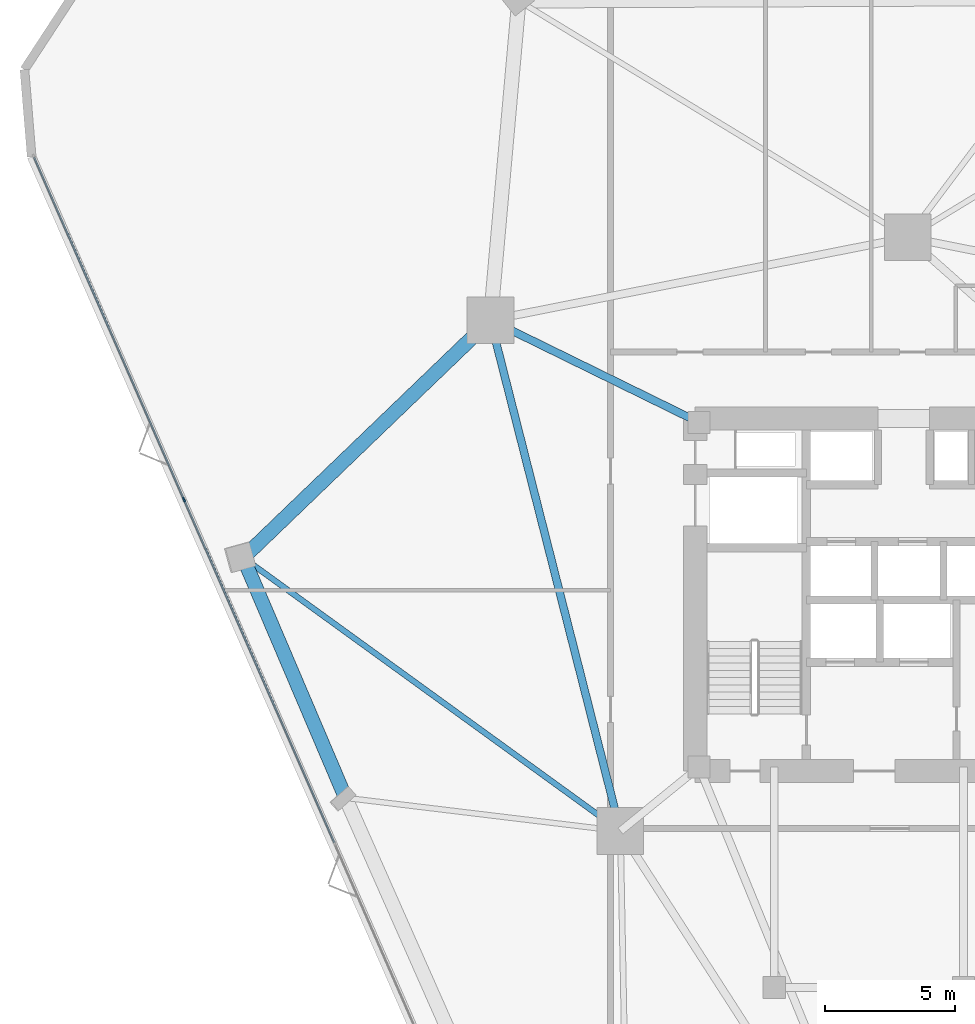
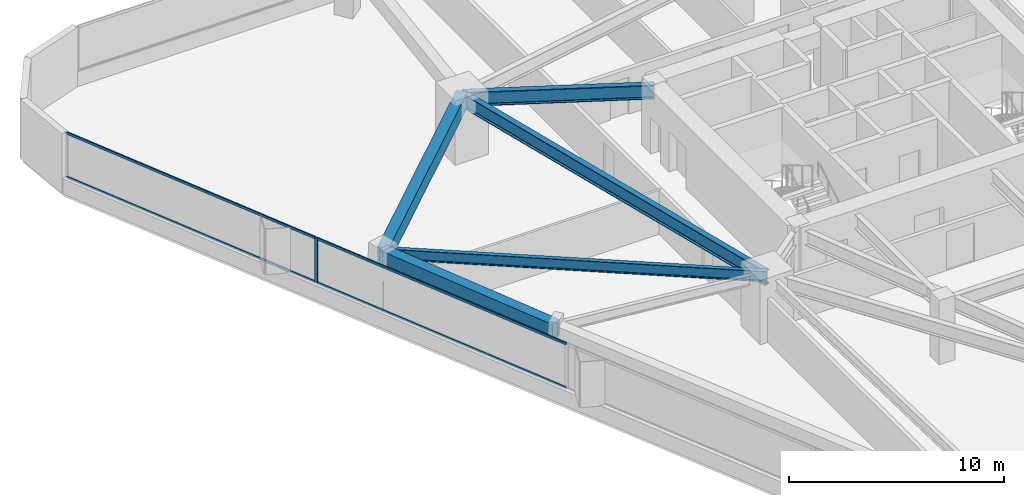
# One storey, part 7 of 20: 5 beams, 5 members, 1 element without a shape of its own.
"""IFC4 building model written with IfcOpenShell, lengths in metres."""

import ifcopenshell
import ifcopenshell.guid

model = None  # the IFC model being written
_history = None  # IfcOwnerHistory: only IFC2X3 demands one
_inside = {}  # id of a spatial element -> (the spatial element, [elements in it])
_under = {}  # id of a project, library or spatial element -> (it, [spatial elements below it])
_declared = {}  # id of a project -> (the project, [libraries it declares])
_typed = {}  # id of a type object -> (the type object, [elements of that type])
_made_of = {}  # id of a material, layer set ... -> (it, [elements and type objects made of it])


def new_model(schema):
    """Start an empty IFC model of exactly this schema.

    Asked for "IFC4X3", IfcOpenShell would pick the latest addendum, in which some entities
    have other attributes; the version numbers below select the first issue.
    IFC2X3 requires an IfcOwnerHistory on every rooted entity: one is made here for all.
    """
    global model, _history
    if schema == "IFC4X3":
        model = ifcopenshell.file(schema_version=(4, 3, 0, 0))
    else:
        model = ifcopenshell.file(schema=schema)
    _inside.clear()
    _under.clear()
    _declared.clear()
    _typed.clear()
    _made_of.clear()
    _history = None
    if model.schema == "IFC2X3":
        org = make("IfcOrganization", Name="unknown")
        user = make(
            "IfcPersonAndOrganization",
            ThePerson=make("IfcPerson", FamilyName="unknown"),
            TheOrganization=org,
        )
        app = make(
            "IfcApplication",
            ApplicationDeveloper=org,
            Version="unknown",
            ApplicationFullName="unknown",
            ApplicationIdentifier="unknown",
        )
        _history = make(
            "IfcOwnerHistory",
            OwningUser=user,
            OwningApplication=app,
            ChangeAction="ADDED",
            CreationDate=0,
        )
    return model


def make(cls, **values):
    """One entity of the class cls with the attributes given. An attribute that is None is left unset."""
    return model.create_entity(
        cls, **{name: value for name, value in values.items() if value is not None}
    )


def rooted(cls, **values):
    """An entity with a GlobalId (a new one), such as an element, a storey or a relation."""
    return make(cls, GlobalId=ifcopenshell.guid.new(), OwnerHistory=_history, **values)


def si_unit(unit_type, name, prefix=None):
    """IfcSIUnit, for example si_unit("LENGTHUNIT", "METRE", prefix="MILLI")."""
    return make("IfcSIUnit", UnitType=unit_type, Prefix=prefix, Name=name)


def assignment(units):
    """IfcUnitAssignment: the units of a project."""
    return None if units is None else make("IfcUnitAssignment", Units=units)


def point(xyz):
    """IfcCartesianPoint."""
    return None if xyz is None else make("IfcCartesianPoint", Coordinates=xyz)


def direction(xyz):
    """IfcDirection."""
    return None if xyz is None else make("IfcDirection", DirectionRatios=xyz)


def frame(location, z_axis=None, x_axis=None):
    """IfcAxis2Placement3D, a coordinate frame: its origin and axes. An axis left out is left unset."""
    return make(
        "IfcAxis2Placement3D",
        Location=point(location),
        Axis=direction(z_axis),
        RefDirection=direction(x_axis),
    )


def frame_2d(location, x_axis=None):
    """IfcAxis2Placement2D, a coordinate frame in the plane: its origin and x axis."""
    return make(
        "IfcAxis2Placement2D", Location=point(location), RefDirection=direction(x_axis)
    )


def origin():
    """The frame at (0, 0, 0) with its axes left unset."""
    return frame((0.0, 0.0, 0.0))


def origin_2d():
    """The frame at (0, 0) in the plane with its x axis left unset."""
    return frame_2d((0.0, 0.0))


def place(relative_to, where):
    """IfcLocalPlacement: puts the frame where relative to a parent placement (None: the world)."""
    return make(
        "IfcLocalPlacement", PlacementRelTo=relative_to, RelativePlacement=where
    )


def context(
    kind, dimensions, precision=None, world=None, true_north=None, identifier=None
):
    """IfcGeometricRepresentationContext, for example the 3D "Model" context."""
    return make(
        "IfcGeometricRepresentationContext",
        ContextIdentifier=identifier,
        ContextType=kind,
        CoordinateSpaceDimension=dimensions,
        Precision=precision,
        WorldCoordinateSystem=world,
        TrueNorth=true_north,
    )


def subcontext(parent, identifier, kind, view, scale=None):
    """IfcGeometricRepresentationSubContext, for example "Body" below "Model"."""
    return make(
        "IfcGeometricRepresentationSubContext",
        ContextIdentifier=identifier,
        ContextType=kind,
        ParentContext=parent,
        TargetScale=scale,
        TargetView=view,
    )


def project(units=None, contexts=None):
    """IfcProject with its units and contexts."""
    return rooted(
        "IfcProject",
        Name="project",
        RepresentationContexts=contexts,
        UnitsInContext=assignment(units),
    )


def spatial(cls, under=None, at=None, **own):
    """A site, building, storey or space (cls), placed at a placement, below another one or the project."""
    s = rooted(cls, ObjectPlacement=at, **own)
    if under is not None:
        _under.setdefault(under.id(), (under, []))[1].append(s)
    return s


def profile(cls, at=None, kind="AREA", **sizes):
    """A parametric profile (cls). Its sizes go by their IFC names, for example OverallWidth=200.0."""
    return make(cls, ProfileType=kind, Position=at, **sizes)


def rectangle(**sizes):
    """IfcRectangleProfileDef."""
    return profile("IfcRectangleProfileDef", **sizes)


def i_section(**sizes):
    """IfcIShapeProfileDef."""
    return profile("IfcIShapeProfileDef", **sizes)


def extrude(swept, where, along, depth):
    """IfcExtrudedAreaSolid: the profile swept, set in the frame where, extruded along a direction by depth."""
    return make(
        "IfcExtrudedAreaSolid",
        SweptArea=swept,
        Position=where,
        ExtrudedDirection=direction(along),
        Depth=depth,
    )


def shape(context_of_items, identifier, shape_type, items):
    """IfcShapeRepresentation: the items that make up one representation, for example the "Body"."""
    return make(
        "IfcShapeRepresentation",
        ContextOfItems=context_of_items,
        RepresentationIdentifier=identifier,
        RepresentationType=shape_type,
        Items=items,
    )


def material(Name=None, Category=None):
    """IfcMaterial."""
    return make("IfcMaterial", Name=Name, Category=Category)


def layer(
    of_material, thickness, ventilated=None, Name=None, Category=None, Priority=None
):
    """IfcMaterialLayer: one layer of a wall or slab, of a material (None: an air gap)."""
    return make(
        "IfcMaterialLayer",
        Material=of_material,
        LayerThickness=thickness,
        IsVentilated=ventilated,
        Name=Name,
        Category=Category,
        Priority=Priority,
    )


def layer_set(layers, Name=None):
    """IfcMaterialLayerSet."""
    return make("IfcMaterialLayerSet", MaterialLayers=layers, LayerSetName=Name)


def material_profile(
    of_material, cross_section, Name=None, Category=None, Priority=None
):
    """IfcMaterialProfile: a cross section and its material."""
    return make(
        "IfcMaterialProfile",
        Name=Name,
        Material=of_material,
        Profile=cross_section,
        Priority=Priority,
        Category=Category,
    )


def profile_set(profiles, Name=None, composite=None):
    """IfcMaterialProfileSet."""
    return make(
        "IfcMaterialProfileSet",
        Name=Name,
        MaterialProfiles=profiles,
        CompositeProfile=composite,
    )


def made_of(thing, what):
    """Note that an element or type object is made of a material, layer set ...; save() writes the relation."""
    if what is not None:
        _made_of.setdefault(what.id(), (what, []))[1].append(thing)
    return thing


def type_object(cls, material=None, **own):
    """A type object (cls), such as IfcWallType, which elements share."""
    return made_of(rooted(cls, **own), material)


def element(
    cls,
    number,
    at=None,
    inside=None,
    cuts=None,
    type_object=None,
    material=None,
    context=None,
    identifier="Body",
    shape_type=None,
    held_by="IfcProductDefinitionShape",
    body=None,
    shapes=None,
    **own,
):
    """One element of the class cls, such as IfcWall. Its Tag is "e" and its number.

    at: its placement. inside: the storey or other place that contains it. cuts: it is an
    opening in that element (IfcRelVoidsElement). A single representation is given by context,
    identifier, shape_type and body (its items); several are given by shapes. held_by: the class
    of the entity that holds the representations. save() writes the other relations.
    """
    e = rooted(cls, Tag="e%d" % number, ObjectPlacement=at, **own)
    if body is not None:
        shapes = [shape(context, identifier, shape_type, body)]
    if shapes is not None:
        e.Representation = make(held_by, Representations=shapes)
    if inside is not None:
        _inside.setdefault(inside.id(), (inside, []))[1].append(e)
    if cuts is not None:
        rooted(
            "IfcRelVoidsElement", RelatingBuildingElement=cuts, RelatedOpeningElement=e
        )
    if type_object is not None:
        _typed.setdefault(type_object.id(), (type_object, []))[1].append(e)
    return made_of(e, material)


def aggregate(whole, parts):
    """IfcRelAggregates: a whole, such as a stair, and the parts it consists of."""
    return rooted("IfcRelAggregates", RelatingObject=whole, RelatedObjects=parts)


def save(model, path):
    """Write the relations noted so far, then the file.

    IfcRelAggregates (storeys below a building ...), IfcRelContainedInSpatialStructure (elements
    in a storey), IfcRelDefinesByType, IfcRelAssociatesMaterial and IfcRelDeclares: one each for
    every whole, place, type object, material and project.
    """
    for whole, parts in _under.values():
        aggregate(whole, parts)
    for where, things in _inside.values():
        rooted(
            "IfcRelContainedInSpatialStructure",
            RelatedElements=things,
            RelatingStructure=where,
        )
    for kind, things in _typed.values():
        rooted("IfcRelDefinesByType", RelatedObjects=things, RelatingType=kind)
    for what, things in _made_of.values():
        rooted("IfcRelAssociatesMaterial", RelatedObjects=things, RelatingMaterial=what)
    for by, libraries in _declared.values():
        rooted("IfcRelDeclares", RelatingContext=by, RelatedDefinitions=libraries)
    model.write(path)


model = new_model("IFC4")

# Units and contexts
model_context = context("Model", 3, precision=1e-05, world=origin(), true_north=direction((0.0, 1.0)))
body_context = subcontext(model_context, "Body", "Model", "MODEL_VIEW")
ifc_project = project(units=[si_unit("LENGTHUNIT", "METRE"), si_unit("AREAUNIT", "SQUARE_METRE"), si_unit("VOLUMEUNIT", "CUBIC_METRE"), si_unit("PLANEANGLEUNIT", "RADIAN"), si_unit("MASSUNIT", "GRAM", prefix="KILO")], contexts=[model_context])

# Site, building, storey
site_placement = place(None, origin())
site = spatial("IfcSite", under=ifc_project, at=site_placement, CompositionType="ELEMENT")
building_placement = place(site_placement, origin())
building = spatial("IfcBuilding", under=site, at=building_placement, Name="Talyreon Biosciences Tower", CompositionType="ELEMENT")
storey_placement = place(building_placement, frame((0.0, 0.0, 37.39990234375)))
storey = spatial("IfcBuildingStorey", under=building, at=storey_placement, Name="L09", CompositionType="ELEMENT", Elevation=37.39990234375)

# Curtain wall, members
ifc_material_1 = material(Name="Thermally broken aluminium and low-E glazing", Category="aluminium")
ifc_layer = layer(ifc_material_1, 0.195068359375)
ifc_layer_set = layer_set([ifc_layer], Name="Thermally broken aluminium and low-E glazing")
curtain_wall_type = type_object("IfcCurtainWallType", Name="CurtainWall_Zone1WetLab", PredefinedType="NOTDEFINED", material=ifc_layer_set)
curtain_wall_placement = place(storey_placement, origin())
curtain_wall = element("IfcCurtainWall", 1, at=curtain_wall_placement, inside=storey, type_object=curtain_wall_type, Name="L09 Unitised Curtain Wall FCW-L09-00", PredefinedType="NOTDEFINED")
ifc_material_2 = material(Name="Anodised thermally broken aluminium", Category="aluminium")
ifc_material_profile_1 = material_profile(ifc_material_2, rectangle(XDim=0.06494140625, YDim=0.179931640625, at=origin_2d()), Name="ALUM MULLION 65x180")
ifc_profile_set_1 = profile_set([ifc_material_profile_1], Name="Anodised thermally broken aluminium")
member_type_1 = type_object("IfcMemberType", Name="CWMullion_65x180", PredefinedType="MULLION", material=ifc_profile_set_1)
member_1_placement = place(storey_placement, frame((38.0732421875, 71.6708984375, 0.81005859375), z_axis=(0.0, 0.0, 1.0), x_axis=(-0.915980408101, -0.401222995321, 0.0)))
member_1 = element("IfcMember", 2, at=member_1_placement, type_object=member_type_1, Name="CW2 mullion 5", PredefinedType="MULLION", context=body_context, shape_type="SweptSolid", body=[
    extrude(rectangle(XDim=0.06494140625, YDim=0.179931640625, at=origin_2d()), origin(), (0.0, 0.0, 1.0), 2.56494140625),
])
ifc_material_profile_2 = material_profile(ifc_material_2, rectangle(XDim=0.06494140625, YDim=0.139892578125, at=origin_2d()), Name="ALUM TRANSOM 65x140")
ifc_profile_set_2 = profile_set([ifc_material_profile_2], Name="Anodised thermally broken aluminium")
member_type_2 = type_object("IfcMemberType", Name="CWTransom_65x140", PredefinedType="USERDEFINED", material=ifc_profile_set_2)
member_2_placement = place(storey_placement, frame((43.869384765625, 58.4384765625, 0.842529296875), z_axis=(-0.401215094817, 0.915983868685, 0.0), x_axis=(-0.915983868685, -0.401215094817, 0.0)))
member_2 = element("IfcMember", 3, at=member_2_placement, type_object=member_type_2, Name="CW2 transom 4.1", ObjectType="TRANSOM", PredefinedType="USERDEFINED", context=body_context, shape_type="SweptSolid", body=[
    extrude(rectangle(XDim=0.06494140625, YDim=0.139892578125, at=origin_2d()), origin(), (0.0, 0.0, 1.0), 14.41357421875),
])
member_3_placement = place(storey_placement, frame((43.869384765625, 58.4384765625, 3.342529296875), z_axis=(-0.401215094817, 0.915983868685, 0.0), x_axis=(-0.915983868685, -0.401215094817, 0.0)))
member_3 = element("IfcMember", 4, at=member_3_placement, type_object=member_type_2, Name="CW2 transom 4.2", ObjectType="TRANSOM", PredefinedType="USERDEFINED", context=body_context, shape_type="SweptSolid", body=[
    extrude(rectangle(XDim=0.06494140625, YDim=0.139892578125, at=origin_2d()), origin(), (0.0, 0.0, 1.0), 14.41357421875),
])
member_4_placement = place(storey_placement, frame((38.060302734375, 71.70068359375, 0.842529296875), z_axis=(-0.401215092974, 0.915983869492, 0.0), x_axis=(-0.915983869492, -0.401215092974, 0.0)))
member_4 = element("IfcMember", 5, at=member_4_placement, type_object=member_type_2, Name="CW2 transom 5.1", ObjectType="TRANSOM", PredefinedType="USERDEFINED", context=body_context, shape_type="SweptSolid", body=[
    extrude(rectangle(XDim=0.06494140625, YDim=0.139892578125, at=origin_2d()), origin(), (0.0, 0.0, 1.0), 14.38134765625),
])
member_5_placement = place(storey_placement, frame((38.060302734375, 71.70068359375, 3.342529296875), z_axis=(-0.401215092974, 0.915983869492, 0.0), x_axis=(-0.915983869492, -0.401215092974, 0.0)))
member_5 = element("IfcMember", 6, at=member_5_placement, type_object=member_type_2, Name="CW2 transom 5.2", ObjectType="TRANSOM", PredefinedType="USERDEFINED", context=body_context, shape_type="SweptSolid", body=[
    extrude(rectangle(XDim=0.06494140625, YDim=0.139892578125, at=origin_2d()), origin(), (0.0, 0.0, 1.0), 14.38134765625),
])
aggregate(curtain_wall, [member_1, member_2, member_3, member_4, member_5])

# Beams
ifc_material_3 = material(Name="Precast concrete C45/55", Category="concrete")
ifc_material_profile_3 = material_profile(ifc_material_3, rectangle(XDim=0.550048828125, YDim=0.85009765625, at=origin_2d()), Name="RCB 550x850")
ifc_profile_set_3 = profile_set([ifc_material_profile_3], Name="Precast concrete C45/55")
beam_type_1 = type_object("IfcBeamType", Name="ExpressedSpandrel_550x850", PredefinedType="SPANDREL", material=ifc_profile_set_3)
beam_1_placement = place(storey_placement, frame((49.897705078125, 78.5986328125, 2.9501953125), z_axis=(-0.720862489252, -0.693078113627, 0.0), x_axis=(0.693078113627, -0.720862489252, 0.0)))
element("IfcBeam", 7, at=beam_1_placement, inside=storey, type_object=beam_type_1, Name="L09 Expressed Horizontal Concrete Spandrel 09", PredefinedType="SPANDREL", context=body_context, shape_type="SweptSolid", body=[
    extrude(rectangle(XDim=0.550048828125, YDim=0.85009765625, at=origin_2d()), origin(), (0.0, 0.0, 1.0), 13.233154296875),
])
beam_2_placement = place(storey_placement, frame((40.3583984375, 69.427001953125, 2.9501953125), z_axis=(0.392066490779, -0.91993688197, 0.0), x_axis=(0.91993688197, 0.392066490779, 0.0)))
element("IfcBeam", 8, at=beam_2_placement, inside=storey, type_object=beam_type_1, Name="L09 Expressed Horizontal Concrete Spandrel 10", PredefinedType="SPANDREL", context=body_context, shape_type="SweptSolid", body=[
    extrude(rectangle(XDim=0.550048828125, YDim=0.85009765625, at=origin_2d()), origin(), (0.0, 0.0, 1.0), 10.071044921875),
])
ifc_material_4 = material(Name="Steel SM355", Category="steel")
ifc_material_profile_4 = material_profile(ifc_material_4, i_section(OverallWidth=0.300048828125, OverallDepth=0.800048828125, WebThickness=0.017578125, FlangeThickness=0.032958984375, FilletRadius=0.030029296875, at=origin_2d()), Name="HE800B")
ifc_profile_set_4 = profile_set([ifc_material_profile_4], Name="Steel SM355")
beam_type_2 = type_object("IfcBeamType", Name="SteelGirder_HE800B", PredefinedType="BEAM", material=ifc_profile_set_4)
beam_3_placement = place(storey_placement, frame((49.897705078125, 78.5986328125, 2.97509765625), z_axis=(0.246537082299, -0.969133358755, 0.0), x_axis=(0.969133358755, 0.246537082299, 0.0)))
element("IfcBeam", 9, at=beam_3_placement, inside=storey, type_object=beam_type_2, Name="L09 Mega-Ring Girder 5", PredefinedType="BEAM", context=body_context, shape_type="SweptSolid", body=[
    extrude(i_section(OverallWidth=0.300048828125, OverallDepth=0.800048828125, WebThickness=0.017578125, FlangeThickness=0.032958984375, FilletRadius=0.030029296875, at=origin_2d()), origin(), (0.0, 0.0, 1.0), 20.34619140625),
])
beam_4_placement = place(storey_placement, frame((57.949951171875, 74.64990234375, 2.97509765625), z_axis=(-0.897852360314, 0.440296648952, 0.0), x_axis=(-0.440296648952, -0.897852360314, 0.0)))
element("IfcBeam", 10, at=beam_4_placement, inside=storey, type_object=beam_type_2, Name="L09 Radial Primary Girder 5", PredefinedType="BEAM", context=body_context, shape_type="SweptSolid", body=[
    extrude(i_section(OverallWidth=0.300048828125, OverallDepth=0.800048828125, WebThickness=0.017578125, FlangeThickness=0.032958984375, FilletRadius=0.030029296875, at=origin_2d()), origin(), (0.0, 0.0, 1.0), 8.96826171875),
])
ifc_material_profile_5 = material_profile(ifc_material_4, i_section(OverallWidth=0.219970703125, OverallDepth=0.60009765625, WebThickness=0.011962890625, FlangeThickness=0.01904296875, FilletRadius=0.02392578125, at=origin_2d()), Name="IPE600")
ifc_profile_set_5 = profile_set([ifc_material_profile_5], Name="Steel SM355")
beam_type_3 = type_object("IfcBeamType", Name="SteelJoist_IPE600", PredefinedType="JOIST", material=ifc_profile_set_5)
beam_5_placement = place(storey_placement, frame((54.913818359375, 58.88037109375, 3.0751953125), z_axis=(-0.809770325345, 0.586746981408, 0.0), x_axis=(-0.586746981408, -0.809770325345, 0.0)))
element("IfcBeam", 11, at=beam_5_placement, inside=storey, type_object=beam_type_3, Name="L09 Radial Composite Floor Joist PC-SW1", PredefinedType="JOIST", context=body_context, shape_type="SweptSolid", body=[
    extrude(i_section(OverallWidth=0.219970703125, OverallDepth=0.60009765625, WebThickness=0.011962890625, FlangeThickness=0.01904296875, FilletRadius=0.02392578125, at=origin_2d()), origin(), (0.0, 0.0, 1.0), 17.974853515625),
])

save(model, "model.ifc")
